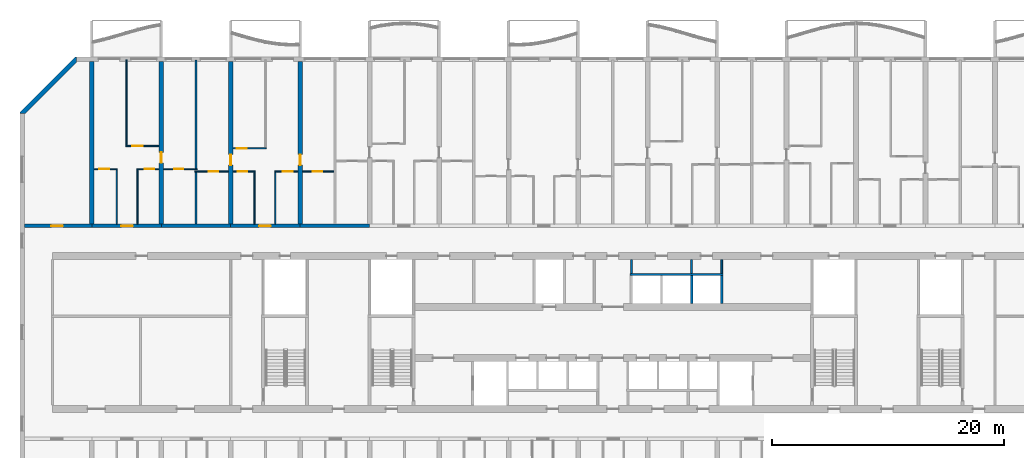
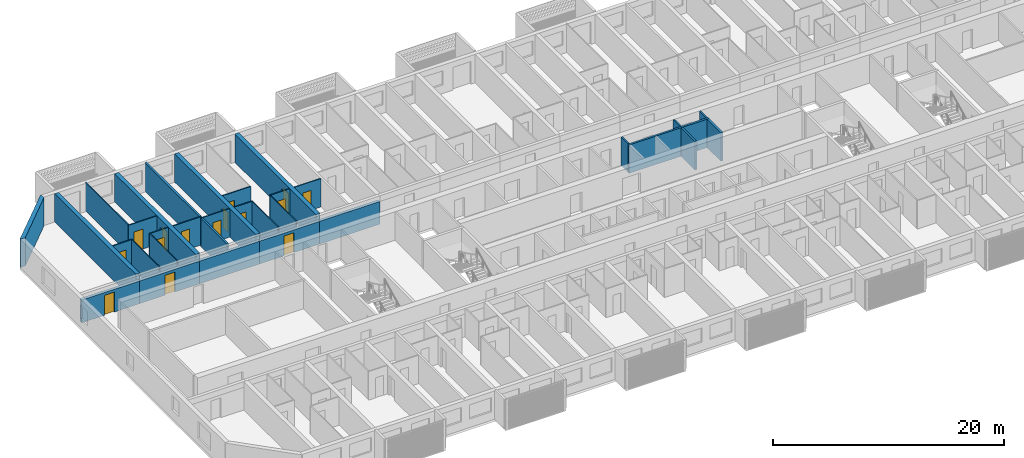
# One storey, part 10 of 38: 32 walls, 15 doors, 15 openings.
"""IFC4 building model written with IfcOpenShell, lengths in metres."""

from ifc_helpers import new_model, si_unit, direction, frame, frame_2d, origin, place, context, subcontext, project, spatial, polyline, rectangle, outline, extrude, material, layer, layer_set, type_object, element, fill, save


model = new_model("IFC4")

# Units and contexts
model_context = context("Model", 3, precision=1e-05, world=origin(), true_north=direction((0.0, 1.0)))
body_context = subcontext(model_context, "Body", "Model", "MODEL_VIEW")
ifc_project = project(units=[si_unit("LENGTHUNIT", "METRE"), si_unit("AREAUNIT", "SQUARE_METRE"), si_unit("VOLUMEUNIT", "CUBIC_METRE"), si_unit("PLANEANGLEUNIT", "RADIAN"), si_unit("MASSUNIT", "GRAM", prefix="KILO")], contexts=[model_context])

# Site, building, storey
site_placement = place(None, origin())
site = spatial("IfcSite", under=ifc_project, at=site_placement, CompositionType="ELEMENT")
building_placement = place(site_placement, origin())
building = spatial("IfcBuilding", under=site, at=building_placement, Name="Poui Terraces", CompositionType="ELEMENT")
storey_placement = place(building_placement, frame((0.0, 0.0, 49.800048828125)))
storey = spatial("IfcBuildingStorey", under=building, at=storey_placement, Name="L13", CompositionType="ELEMENT", Elevation=49.800048828125)

# Wall
ifc_material_1 = material(Name="Fire-rated plasterboard wall")
ifc_layer_1 = layer(ifc_material_1, 0.14990234375)
ifc_layer_set_1 = layer_set([ifc_layer_1], Name="Fire-rated plasterboard wall")
wall_type_1 = type_object("IfcWallType", Name="CORRIDOR WALL 150", PredefinedType="PARTITIONING", material=ifc_layer_set_1)
wall_1_placement = place(storey_placement, frame((52.60009765625, 26.300048828125, 0.0), z_axis=(0.0, 0.0, 1.0), x_axis=(0.0, 1.0, 0.0)))
element("IfcWall", 1, at=wall_1_placement, inside=storey, type_object=wall_type_1, Name="CORRIDOR WALL 150", PredefinedType="PARTITIONING", context=body_context, shape_type="SweptSolid", body=[
    extrude(rectangle(XDim=1.18994140625, YDim=0.14990234375, at=frame_2d((0.594970703125, 0.0))), origin(), (0.0, 0.0, 1.0), 3.0),
])

# Wall, opening, door
ifc_material_2 = material(Name="Concrete 80 MPa", Category="concrete")
ifc_layer_2 = layer(ifc_material_2, 0.300048828125)
ifc_layer_set_2 = layer_set([ifc_layer_2], Name="Concrete 80 MPa")
wall_type_2 = type_object("IfcWallType", Name="CORRIDOR WALL 300 80MPa", PredefinedType="SHEAR", material=ifc_layer_set_2)
wall_2_placement = place(storey_placement, frame((0.199951171875, 30.39990234375, 0.0), z_axis=(0.0, 0.0, 1.0), x_axis=(1.0, 0.0, 0.0)))
wall_2 = element("IfcWall", 2, at=wall_2_placement, inside=storey, type_object=wall_type_2, Name="CORRIDOR WALL LINE E BAY 1", PredefinedType="SHEAR", context=body_context, shape_type="SweptSolid", body=[
    extrude(rectangle(XDim=5.800048828125, YDim=0.300048828125, at=frame_2d((2.89990234375, 0.0))), origin(), (0.0, 0.0, 1.0), 2.39990234375),
])
opening_1_placement = place(wall_2_placement, frame((2.300048828125, 0.0, 0.0)))
opening_1 = element("IfcOpeningElement", 3, at=opening_1_placement, cuts=wall_2, Name="Opening D100", PredefinedType="OPENING", context=body_context, shape_type="SweptSolid", body=[
    extrude(rectangle(XDim=1.0, YDim=2.10009765625, at=frame_2d((0.5, 1.050048828125))), frame((0.0, 0.16015625, 0.0), z_axis=(0.0, -1.0, 0.0), x_axis=(1.0, 0.0, 0.0)), (0.0, 0.0, 1.0), 0.320068359375),
])
ifc_material_3 = material(Name="Solid core timber door", Category="wood")
door_type_1 = type_object("IfcDoorType", Name="ACCESSIBLE INTERNAL DOOR 1000 X 2100", OperationType="NOTDEFINED", PredefinedType="DOOR", material=ifc_material_3)
door_1_placement = place(opening_1_placement, origin())
door_1 = element("IfcDoor", 4, at=door_1_placement, inside=storey, type_object=door_type_1, Name="ACCESSIBLE INTERNAL DOOR 031", OperationType="SINGLE_SWING_LEFT", OverallHeight=2.10009765625, OverallWidth=1.0, PredefinedType="DOOR", context=body_context, shape_type="SweptSolid", body=[
    extrude(rectangle(XDim=1.0, YDim=2.10009765625, at=frame_2d((0.5, 1.050048828125))), frame((0.0, 0.02490234375, 0.0), z_axis=(0.0, -1.0, 0.0), x_axis=(1.0, 0.0, 0.0)), (0.0, 0.0, 1.0), 0.050048828125),
])
fill(opening_1, door_1)

wall_3_placement = place(storey_placement, frame((6.0, 30.39990234375, 0.0), z_axis=(0.0, 0.0, 1.0), x_axis=(1.0, 0.0, 0.0)))
wall_3 = element("IfcWall", 5, at=wall_3_placement, inside=storey, type_object=wall_type_2, Name="CORRIDOR WALL LINE E BAY 2", PredefinedType="SHEAR", context=body_context, shape_type="SweptSolid", body=[
    extrude(rectangle(XDim=6.0, YDim=0.300048828125, at=frame_2d((3.0, 0.0))), origin(), (0.0, 0.0, 1.0), 2.39990234375),
])
opening_2_placement = place(wall_3_placement, frame((2.550048828125, 0.0, 0.0)))
opening_2 = element("IfcOpeningElement", 6, at=opening_2_placement, cuts=wall_3, Name="Opening FD30S", PredefinedType="OPENING", context=body_context, shape_type="SweptSolid", body=[
    extrude(rectangle(XDim=1.0, YDim=2.10009765625, at=frame_2d((0.5, 1.050048828125))), frame((0.0, 0.16015625, 0.0), z_axis=(0.0, -1.0, 0.0), x_axis=(1.0, 0.0, 0.0)), (0.0, 0.0, 1.0), 0.320068359375),
])
ifc_material_4 = material(Name="Steel fire door", Category="steel")
door_type_2 = type_object("IfcDoorType", Name="FLAT ENTRANCE DOOR 1000 X 2100", OperationType="NOTDEFINED", PredefinedType="DOOR", material=ifc_material_4)
door_2_placement = place(opening_2_placement, origin())
door_2 = element("IfcDoor", 7, at=door_2_placement, inside=storey, type_object=door_type_2, Name="FLAT ENTRANCE DOOR 034", OperationType="SINGLE_SWING_RIGHT", OverallHeight=2.10009765625, OverallWidth=1.0, PredefinedType="DOOR", context=body_context, shape_type="SweptSolid", body=[
    extrude(rectangle(XDim=1.0, YDim=2.10009765625, at=frame_2d((0.5, 1.050048828125))), frame((0.0, 0.02490234375, 0.0), z_axis=(0.0, -1.0, 0.0), x_axis=(1.0, 0.0, 0.0)), (0.0, 0.0, 1.0), 0.050048828125),
])
fill(opening_2, door_2)

# Wall
wall_4_placement = place(storey_placement, frame((12.0, 30.39990234375, 0.0), z_axis=(0.0, 0.0, 1.0), x_axis=(1.0, 0.0, 0.0)))
element("IfcWall", 8, at=wall_4_placement, inside=storey, type_object=wall_type_2, Name="CORRIDOR WALL LINE E BAY 3", PredefinedType="SHEAR", context=body_context, shape_type="SweptSolid", body=[
    extrude(rectangle(XDim=6.0, YDim=0.300048828125, at=frame_2d((3.0, 0.0))), origin(), (0.0, 0.0, 1.0), 2.39990234375),
])

# Wall, opening, door
wall_5_placement = place(storey_placement, frame((18.0, 30.39990234375, 0.0), z_axis=(0.0, 0.0, 1.0), x_axis=(1.0, 0.0, 0.0)))
wall_5 = element("IfcWall", 9, at=wall_5_placement, inside=storey, type_object=wall_type_2, Name="CORRIDOR WALL LINE E BAY 4", PredefinedType="SHEAR", context=body_context, shape_type="SweptSolid", body=[
    extrude(rectangle(XDim=6.0, YDim=0.300048828125, at=frame_2d((3.0, 0.0))), origin(), (0.0, 0.0, 1.0), 2.39990234375),
])
opening_3_placement = place(wall_5_placement, frame((2.449951171875, 0.0, 0.0)))
opening_3 = element("IfcOpeningElement", 10, at=opening_3_placement, cuts=wall_5, Name="Opening FD30S", PredefinedType="OPENING", context=body_context, shape_type="SweptSolid", body=[
    extrude(rectangle(XDim=1.0, YDim=2.10009765625, at=frame_2d((0.5, 1.050048828125))), frame((0.0, 0.16015625, 0.0), z_axis=(0.0, -1.0, 0.0), x_axis=(1.0, 0.0, 0.0)), (0.0, 0.0, 1.0), 0.320068359375),
])
door_3_placement = place(opening_3_placement, origin())
door_3 = element("IfcDoor", 11, at=door_3_placement, inside=storey, type_object=door_type_2, Name="FLAT ENTRANCE DOOR 043", OperationType="SINGLE_SWING_LEFT", OverallHeight=2.10009765625, OverallWidth=1.0, PredefinedType="DOOR", context=body_context, shape_type="SweptSolid", body=[
    extrude(rectangle(XDim=1.0, YDim=2.10009765625, at=frame_2d((0.5, 1.050048828125))), frame((0.0, 0.02490234375, 0.0), z_axis=(0.0, -1.0, 0.0), x_axis=(1.0, 0.0, 0.0)), (0.0, 0.0, 1.0), 0.050048828125),
])
fill(opening_3, door_3)

# Walls
wall_6_placement = place(storey_placement, frame((24.0, 30.39990234375, 0.0), z_axis=(0.0, 0.0, 1.0), x_axis=(1.0, 0.0, 0.0)))
element("IfcWall", 12, at=wall_6_placement, inside=storey, type_object=wall_type_2, Name="CORRIDOR WALL LINE E BAY 5", PredefinedType="SHEAR", context=body_context, shape_type="SweptSolid", body=[
    extrude(rectangle(XDim=6.0, YDim=0.300048828125, at=frame_2d((3.0, 0.0))), origin(), (0.0, 0.0, 1.0), 2.39990234375),
])
ifc_layer_3 = layer(ifc_material_2, 0.39990234375)
ifc_layer_set_3 = layer_set([ifc_layer_3], Name="Concrete 80 MPa")
wall_type_3 = type_object("IfcWallType", Name="CROSS WALL 400 80MPa", PredefinedType="SHEAR", material=ifc_layer_set_3)
wall_7_placement = place(storey_placement, frame((6.0, 30.550048828125, 0.0), z_axis=(0.0, 0.0, 1.0), x_axis=(0.0, 1.0, 0.0)))
element("IfcWall", 13, at=wall_7_placement, inside=storey, type_object=wall_type_3, Name="CROSS WALL LINE 2 NORTH", PredefinedType="SHEAR", context=body_context, shape_type="SweptSolid", body=[
    extrude(rectangle(XDim=14.050048828125, YDim=0.39990234375, at=frame_2d((7.02490234375, 0.0))), origin(), (0.0, 0.0, 1.0), 3.0),
])

# Wall, opening, door
wall_8_placement = place(storey_placement, frame((12.0, 30.550048828125, 0.0), z_axis=(0.0, 0.0, 1.0), x_axis=(0.0, 1.0, 0.0)))
wall_8 = element("IfcWall", 14, at=wall_8_placement, inside=storey, type_object=wall_type_3, Name="CROSS WALL LINE 3 NORTH", PredefinedType="SHEAR", context=body_context, shape_type="SweptSolid", body=[
    extrude(rectangle(XDim=14.050048828125, YDim=0.39990234375, at=frame_2d((7.02490234375, 0.0))), origin(), (0.0, 0.0, 1.0), 3.0),
])
opening_4_placement = place(wall_8_placement, frame((5.300048828125, 0.0, 0.0)))
opening_4 = element("IfcOpeningElement", 15, at=opening_4_placement, cuts=wall_8, Name="Opening D90", PredefinedType="OPENING", context=body_context, shape_type="SweptSolid", body=[
    extrude(rectangle(XDim=0.89990234375, YDim=2.10009765625, at=frame_2d((0.449951171875, 1.050048828125))), frame((0.0, 0.2099609375, 0.0), z_axis=(0.0, -1.0, 0.0), x_axis=(1.0, 0.0, 0.0)), (0.0, 0.0, 1.0), 0.419921875),
])
door_type_3 = type_object("IfcDoorType", Name="INTERNAL DOOR 900 X 2100", OperationType="NOTDEFINED", PredefinedType="DOOR", material=ifc_material_3)
door_4_placement = place(opening_4_placement, frame((0.89990234375, 0.0, 0.0), z_axis=(0.0, 0.0, 1.0), x_axis=(-1.0, 0.0, 0.0)))
door_4 = element("IfcDoor", 16, at=door_4_placement, inside=storey, type_object=door_type_3, Name="INTERNAL DOOR 037", OperationType="SINGLE_SWING_RIGHT", OverallHeight=2.10009765625, OverallWidth=0.89990234375, PredefinedType="DOOR", context=body_context, shape_type="SweptSolid", body=[
    extrude(rectangle(XDim=0.89990234375, YDim=2.10009765625, at=frame_2d((0.449951171875, 1.050048828125))), frame((0.0, 0.02490234375, 0.0), z_axis=(0.0, -1.0, 0.0), x_axis=(1.0, 0.0, 0.0)), (0.0, 0.0, 1.0), 0.050048828125),
])
fill(opening_4, door_4)

wall_9_placement = place(storey_placement, frame((18.0, 30.550048828125, 0.0), z_axis=(0.0, 0.0, 1.0), x_axis=(0.0, 1.0, 0.0)))
wall_9 = element("IfcWall", 17, at=wall_9_placement, inside=storey, type_object=wall_type_3, Name="CROSS WALL LINE 4 NORTH", PredefinedType="SHEAR", context=body_context, shape_type="SweptSolid", body=[
    extrude(rectangle(XDim=14.050048828125, YDim=0.39990234375, at=frame_2d((7.02490234375, 0.0))), origin(), (0.0, 0.0, 1.0), 3.0),
])
opening_5_placement = place(wall_9_placement, frame((5.10009765625, 0.0, 0.0)))
opening_5 = element("IfcOpeningElement", 18, at=opening_5_placement, cuts=wall_9, Name="Opening D90", PredefinedType="OPENING", context=body_context, shape_type="SweptSolid", body=[
    extrude(rectangle(XDim=0.89990234375, YDim=2.10009765625, at=frame_2d((0.449951171875, 1.050048828125))), frame((0.0, 0.2099609375, 0.0), z_axis=(0.0, -1.0, 0.0), x_axis=(1.0, 0.0, 0.0)), (0.0, 0.0, 1.0), 0.419921875),
])
door_5_placement = place(opening_5_placement, origin())
door_5 = element("IfcDoor", 19, at=door_5_placement, inside=storey, type_object=door_type_3, Name="INTERNAL DOOR 040", OperationType="SINGLE_SWING_LEFT", OverallHeight=2.10009765625, OverallWidth=0.89990234375, PredefinedType="DOOR", context=body_context, shape_type="SweptSolid", body=[
    extrude(rectangle(XDim=0.89990234375, YDim=2.10009765625, at=frame_2d((0.449951171875, 1.050048828125))), frame((0.0, 0.02490234375, 0.0), z_axis=(0.0, -1.0, 0.0), x_axis=(1.0, 0.0, 0.0)), (0.0, 0.0, 1.0), 0.050048828125),
])
fill(opening_5, door_5)

wall_10_placement = place(storey_placement, frame((24.0, 30.550048828125, 0.0), z_axis=(0.0, 0.0, 1.0), x_axis=(0.0, 1.0, 0.0)))
wall_10 = element("IfcWall", 20, at=wall_10_placement, inside=storey, type_object=wall_type_3, Name="CROSS WALL LINE 5 NORTH", PredefinedType="SHEAR", context=body_context, shape_type="SweptSolid", body=[
    extrude(rectangle(XDim=14.050048828125, YDim=0.39990234375, at=frame_2d((7.02490234375, 0.0))), origin(), (0.0, 0.0, 1.0), 3.0),
])
opening_6_placement = place(wall_10_placement, frame((5.10009765625, 0.0, 0.0)))
opening_6 = element("IfcOpeningElement", 21, at=opening_6_placement, cuts=wall_10, Name="Opening D90", PredefinedType="OPENING", context=body_context, shape_type="SweptSolid", body=[
    extrude(rectangle(XDim=0.89990234375, YDim=2.10009765625, at=frame_2d((0.449951171875, 1.050048828125))), frame((0.0, 0.2099609375, 0.0), z_axis=(0.0, -1.0, 0.0), x_axis=(1.0, 0.0, 0.0)), (0.0, 0.0, 1.0), 0.419921875),
])
door_6_placement = place(opening_6_placement, frame((0.89990234375, 0.0, 0.0), z_axis=(0.0, 0.0, 1.0), x_axis=(-1.0, 0.0, 0.0)))
door_6 = element("IfcDoor", 22, at=door_6_placement, inside=storey, type_object=door_type_3, Name="INTERNAL DOOR 045", OperationType="SINGLE_SWING_RIGHT", OverallHeight=2.10009765625, OverallWidth=0.89990234375, PredefinedType="DOOR", context=body_context, shape_type="SweptSolid", body=[
    extrude(rectangle(XDim=0.89990234375, YDim=2.10009765625, at=frame_2d((0.449951171875, 1.050048828125))), frame((0.0, 0.02490234375, 0.0), z_axis=(0.0, -1.0, 0.0), x_axis=(1.0, 0.0, 0.0)), (0.0, 0.0, 1.0), 0.050048828125),
])
fill(opening_6, door_6)

ifc_material_5 = material(Name="Plasterboard partition")
ifc_layer_4 = layer(ifc_material_5, 0.10009765625)
ifc_layer_set_4 = layer_set([ifc_layer_4], Name="Plasterboard partition")
wall_type_4 = type_object("IfcWallType", Name="FLAT PARTITION 100", PredefinedType="PARTITIONING", material=ifc_layer_set_4)
wall_11_placement = place(storey_placement, frame((14.89990234375, 35.10009765625, 0.0), z_axis=(0.0, 0.0, 1.0), x_axis=(1.0, 0.0, 0.0)))
wall_11 = element("IfcWall", 23, at=wall_11_placement, inside=storey, type_object=wall_type_4, Name="FLAT PARTITION 100", PredefinedType="PARTITIONING", context=body_context, shape_type="SweptSolid", body=[
    extrude(rectangle(XDim=2.89013671875, YDim=0.10009765625, at=frame_2d((1.445068359375, 0.0))), origin(), (0.0, 0.0, 1.0), 3.0),
])
opening_7_placement = place(wall_11_placement, frame((1.199951171875, 0.0, 0.0)))
opening_7 = element("IfcOpeningElement", 24, at=opening_7_placement, cuts=wall_11, Name="Opening D80", PredefinedType="OPENING", context=body_context, shape_type="SweptSolid", body=[
    extrude(rectangle(XDim=0.800048828125, YDim=2.10009765625, at=frame_2d((0.39990234375, 1.050048828125))), frame((0.0, 0.06005859375, 0.0), z_axis=(0.0, -1.0, 0.0), x_axis=(1.0, 0.0, 0.0)), (0.0, 0.0, 1.0), 0.1201171875),
])
door_type_4 = type_object("IfcDoorType", Name="BATHROOM, LAUNDRY AND STORE DOOR 800 X 2100", OperationType="NOTDEFINED", PredefinedType="DOOR", material=ifc_material_3)
door_7_placement = place(opening_7_placement, frame((0.800048828125, 0.0, 0.0), z_axis=(0.0, 0.0, 1.0), x_axis=(-1.0, 0.0, 0.0)))
door_7 = element("IfcDoor", 25, at=door_7_placement, inside=storey, type_object=door_type_4, Name="BATHROOM, LAUNDRY AND STORE DOOR 038", OperationType="SINGLE_SWING_RIGHT", OverallHeight=2.10009765625, OverallWidth=0.800048828125, PredefinedType="DOOR", context=body_context, shape_type="SweptSolid", body=[
    extrude(rectangle(XDim=0.800048828125, YDim=2.10009765625, at=frame_2d((0.39990234375, 1.050048828125))), frame((0.0, 0.02490234375, 0.0), z_axis=(0.0, -1.0, 0.0), x_axis=(1.0, 0.0, 0.0)), (0.0, 0.0, 1.0), 0.050048828125),
])
fill(opening_7, door_7)

wall_12_placement = place(storey_placement, frame((18.2099609375, 35.10009765625, 0.0), z_axis=(0.0, 0.0, 1.0), x_axis=(1.0, 0.0, 0.0)))
wall_12 = element("IfcWall", 26, at=wall_12_placement, inside=storey, type_object=wall_type_4, Name="FLAT PARTITION 100", PredefinedType="PARTITIONING", context=body_context, shape_type="SweptSolid", body=[
    extrude(rectangle(XDim=1.89013671875, YDim=0.10009765625, at=frame_2d((0.945068359375, 0.0))), origin(), (0.0, 0.0, 1.0), 3.0),
])
opening_8_placement = place(wall_12_placement, frame((0.4150390625, 0.0, 0.0)))
opening_8 = element("IfcOpeningElement", 27, at=opening_8_placement, cuts=wall_12, Name="Opening D80", PredefinedType="OPENING", context=body_context, shape_type="SweptSolid", body=[
    extrude(rectangle(XDim=0.800048828125, YDim=2.10009765625, at=frame_2d((0.39990234375, 1.050048828125))), frame((0.0, 0.06005859375, 0.0), z_axis=(0.0, -1.0, 0.0), x_axis=(1.0, 0.0, 0.0)), (0.0, 0.0, 1.0), 0.1201171875),
])
door_8_placement = place(opening_8_placement, frame((0.800048828125, 0.0, 0.0), z_axis=(0.0, 0.0, 1.0), x_axis=(-1.0, 0.0, 0.0)))
door_8 = element("IfcDoor", 28, at=door_8_placement, inside=storey, type_object=door_type_4, Name="BATHROOM, LAUNDRY AND STORE DOOR 042", OperationType="SINGLE_SWING_RIGHT", OverallHeight=2.10009765625, OverallWidth=0.800048828125, PredefinedType="DOOR", context=body_context, shape_type="SweptSolid", body=[
    extrude(rectangle(XDim=0.800048828125, YDim=2.10009765625, at=frame_2d((0.39990234375, 1.050048828125))), frame((0.0, 0.02490234375, 0.0), z_axis=(0.0, -1.0, 0.0), x_axis=(1.0, 0.0, 0.0)), (0.0, 0.0, 1.0), 0.050048828125),
])
fill(opening_8, door_8)

wall_13_placement = place(storey_placement, frame((21.800048828125, 35.10009765625, 0.0), z_axis=(0.0, 0.0, 1.0), x_axis=(1.0, 0.0, 0.0)))
wall_13 = element("IfcWall", 29, at=wall_13_placement, inside=storey, type_object=wall_type_4, Name="FLAT PARTITION 100", PredefinedType="PARTITIONING", context=body_context, shape_type="SweptSolid", body=[
    extrude(rectangle(XDim=1.989990234375, YDim=0.10009765625, at=frame_2d((0.9951171875, 0.0))), origin(), (0.0, 0.0, 1.0), 3.0),
])
opening_9_placement = place(wall_13_placement, frame((0.675048828125, 0.0, 0.0)))
opening_9 = element("IfcOpeningElement", 30, at=opening_9_placement, cuts=wall_13, Name="Opening D90", PredefinedType="OPENING", context=body_context, shape_type="SweptSolid", body=[
    extrude(rectangle(XDim=0.89990234375, YDim=2.10009765625, at=frame_2d((0.449951171875, 1.050048828125))), frame((0.0, 0.06005859375, 0.0), z_axis=(0.0, -1.0, 0.0), x_axis=(1.0, 0.0, 0.0)), (0.0, 0.0, 1.0), 0.1201171875),
])
door_9_placement = place(opening_9_placement, frame((0.89990234375, 0.0, 0.0), z_axis=(0.0, 0.0, 1.0), x_axis=(-1.0, 0.0, 0.0)))
door_9 = element("IfcDoor", 31, at=door_9_placement, inside=storey, type_object=door_type_3, Name="INTERNAL DOOR 044", OperationType="SINGLE_SWING_LEFT", OverallHeight=2.10009765625, OverallWidth=0.89990234375, PredefinedType="DOOR", context=body_context, shape_type="SweptSolid", body=[
    extrude(rectangle(XDim=0.89990234375, YDim=2.10009765625, at=frame_2d((0.449951171875, 1.050048828125))), frame((0.0, 0.02490234375, 0.0), z_axis=(0.0, -1.0, 0.0), x_axis=(1.0, 0.0, 0.0)), (0.0, 0.0, 1.0), 0.050048828125),
])
fill(opening_9, door_9)

wall_14_placement = place(storey_placement, frame((24.2099609375, 35.10009765625, 0.0), z_axis=(0.0, 0.0, 1.0), x_axis=(1.0, 0.0, 0.0)))
wall_14 = element("IfcWall", 32, at=wall_14_placement, inside=storey, type_object=wall_type_4, Name="FLAT PARTITION 100", PredefinedType="PARTITIONING", context=body_context, shape_type="SweptSolid", body=[
    extrude(rectangle(XDim=2.68994140625, YDim=0.10009765625, at=frame_2d((1.344970703125, 0.0))), origin(), (0.0, 0.0, 1.0), 3.0),
])
opening_10_placement = place(wall_14_placement, frame((0.889892578125, 0.0, 0.0)))
opening_10 = element("IfcOpeningElement", 33, at=opening_10_placement, cuts=wall_14, Name="Opening D80", PredefinedType="OPENING", context=body_context, shape_type="SweptSolid", body=[
    extrude(rectangle(XDim=0.800048828125, YDim=2.10009765625, at=frame_2d((0.39990234375, 1.050048828125))), frame((0.0, 0.06005859375, 0.0), z_axis=(0.0, -1.0, 0.0), x_axis=(1.0, 0.0, 0.0)), (0.0, 0.0, 1.0), 0.1201171875),
])
door_10_placement = place(opening_10_placement, frame((0.800048828125, 0.0, 0.0), z_axis=(0.0, 0.0, 1.0), x_axis=(-1.0, 0.0, 0.0)))
door_10 = element("IfcDoor", 34, at=door_10_placement, inside=storey, type_object=door_type_4, Name="BATHROOM, LAUNDRY AND STORE DOOR 039", OperationType="SINGLE_SWING_RIGHT", OverallHeight=2.10009765625, OverallWidth=0.800048828125, PredefinedType="DOOR", context=body_context, shape_type="SweptSolid", body=[
    extrude(rectangle(XDim=0.800048828125, YDim=2.10009765625, at=frame_2d((0.39990234375, 1.050048828125))), frame((0.0, 0.02490234375, 0.0), z_axis=(0.0, -1.0, 0.0), x_axis=(1.0, 0.0, 0.0)), (0.0, 0.0, 1.0), 0.050048828125),
])
fill(opening_10, door_10)

wall_15_placement = place(storey_placement, frame((6.2099609375, 35.300048828125, 0.0), z_axis=(0.0, 0.0, 1.0), x_axis=(1.0, 0.0, 0.0)))
wall_15 = element("IfcWall", 35, at=wall_15_placement, inside=storey, type_object=wall_type_4, Name="FLAT PARTITION 100", PredefinedType="PARTITIONING", context=body_context, shape_type="SweptSolid", body=[
    extrude(rectangle(XDim=1.989990234375, YDim=0.10009765625, at=frame_2d((0.9951171875, 0.0))), origin(), (0.0, 0.0, 1.0), 3.0),
])
opening_11_placement = place(wall_15_placement, frame((0.4150390625, 0.0, 0.0)))
opening_11 = element("IfcOpeningElement", 36, at=opening_11_placement, cuts=wall_15, Name="Opening D90", PredefinedType="OPENING", context=body_context, shape_type="SweptSolid", body=[
    extrude(rectangle(XDim=0.89990234375, YDim=2.10009765625, at=frame_2d((0.449951171875, 1.050048828125))), frame((0.0, 0.06005859375, 0.0), z_axis=(0.0, -1.0, 0.0), x_axis=(1.0, 0.0, 0.0)), (0.0, 0.0, 1.0), 0.1201171875),
])
door_11_placement = place(opening_11_placement, frame((0.89990234375, 0.0, 0.0), z_axis=(0.0, 0.0, 1.0), x_axis=(-1.0, 0.0, 0.0)))
door_11 = element("IfcDoor", 37, at=door_11_placement, inside=storey, type_object=door_type_3, Name="INTERNAL DOOR 033", OperationType="SINGLE_SWING_LEFT", OverallHeight=2.10009765625, OverallWidth=0.89990234375, PredefinedType="DOOR", context=body_context, shape_type="SweptSolid", body=[
    extrude(rectangle(XDim=0.89990234375, YDim=2.10009765625, at=frame_2d((0.449951171875, 1.050048828125))), frame((0.0, 0.02490234375, 0.0), z_axis=(0.0, -1.0, 0.0), x_axis=(1.0, 0.0, 0.0)), (0.0, 0.0, 1.0), 0.050048828125),
])
fill(opening_11, door_11)

wall_16_placement = place(storey_placement, frame((9.89990234375, 35.300048828125, 0.0), z_axis=(0.0, 0.0, 1.0), x_axis=(1.0, 0.0, 0.0)))
wall_16 = element("IfcWall", 38, at=wall_16_placement, inside=storey, type_object=wall_type_4, Name="FLAT PARTITION 100", PredefinedType="PARTITIONING", context=body_context, shape_type="SweptSolid", body=[
    extrude(rectangle(XDim=1.89013671875, YDim=0.10009765625, at=frame_2d((0.945068359375, 0.0))), origin(), (0.0, 0.0, 1.0), 3.0),
])
opening_12_placement = place(wall_16_placement, frame((0.675048828125, 0.0, 0.0)))
opening_12 = element("IfcOpeningElement", 39, at=opening_12_placement, cuts=wall_16, Name="Opening D80", PredefinedType="OPENING", context=body_context, shape_type="SweptSolid", body=[
    extrude(rectangle(XDim=0.800048828125, YDim=2.10009765625, at=frame_2d((0.39990234375, 1.050048828125))), frame((0.0, 0.06005859375, 0.0), z_axis=(0.0, -1.0, 0.0), x_axis=(1.0, 0.0, 0.0)), (0.0, 0.0, 1.0), 0.1201171875),
])
door_12_placement = place(opening_12_placement, frame((0.800048828125, 0.0, 0.0), z_axis=(0.0, 0.0, 1.0), x_axis=(-1.0, 0.0, 0.0)))
door_12 = element("IfcDoor", 40, at=door_12_placement, inside=storey, type_object=door_type_4, Name="BATHROOM, LAUNDRY AND STORE DOOR 036", OperationType="SINGLE_SWING_RIGHT", OverallHeight=2.10009765625, OverallWidth=0.800048828125, PredefinedType="DOOR", context=body_context, shape_type="SweptSolid", body=[
    extrude(rectangle(XDim=0.800048828125, YDim=2.10009765625, at=frame_2d((0.39990234375, 1.050048828125))), frame((0.0, 0.02490234375, 0.0), z_axis=(0.0, -1.0, 0.0), x_axis=(1.0, 0.0, 0.0)), (0.0, 0.0, 1.0), 0.050048828125),
])
fill(opening_12, door_12)

wall_17_placement = place(storey_placement, frame((12.2099609375, 35.300048828125, 0.0), z_axis=(0.0, 0.0, 1.0), x_axis=(1.0, 0.0, 0.0)))
wall_17 = element("IfcWall", 41, at=wall_17_placement, inside=storey, type_object=wall_type_4, Name="FLAT PARTITION 100", PredefinedType="PARTITIONING", context=body_context, shape_type="SweptSolid", body=[
    extrude(rectangle(XDim=2.89013671875, YDim=0.10009765625, at=frame_2d((1.445068359375, 0.0))), origin(), (0.0, 0.0, 1.0), 3.0),
])
opening_13_placement = place(wall_17_placement, frame((0.889892578125, 0.0, 0.0)))
opening_13 = element("IfcOpeningElement", 42, at=opening_13_placement, cuts=wall_17, Name="Opening D80", PredefinedType="OPENING", context=body_context, shape_type="SweptSolid", body=[
    extrude(rectangle(XDim=0.800048828125, YDim=2.10009765625, at=frame_2d((0.39990234375, 1.050048828125))), frame((0.0, 0.06005859375, 0.0), z_axis=(0.0, -1.0, 0.0), x_axis=(1.0, 0.0, 0.0)), (0.0, 0.0, 1.0), 0.1201171875),
])
door_13_placement = place(opening_13_placement, frame((0.800048828125, 0.0, 0.0), z_axis=(0.0, 0.0, 1.0), x_axis=(-1.0, 0.0, 0.0)))
door_13 = element("IfcDoor", 43, at=door_13_placement, inside=storey, type_object=door_type_4, Name="BATHROOM, LAUNDRY AND STORE DOOR 032", OperationType="SINGLE_SWING_LEFT", OverallHeight=2.10009765625, OverallWidth=0.800048828125, PredefinedType="DOOR", context=body_context, shape_type="SweptSolid", body=[
    extrude(rectangle(XDim=0.800048828125, YDim=2.10009765625, at=frame_2d((0.39990234375, 1.050048828125))), frame((0.0, 0.02490234375, 0.0), z_axis=(0.0, -1.0, 0.0), x_axis=(1.0, 0.0, 0.0)), (0.0, 0.0, 1.0), 0.050048828125),
])
fill(opening_13, door_13)

wall_18_placement = place(storey_placement, frame((18.2099609375, 37.10009765625, 0.0), z_axis=(0.0, 0.0, 1.0), x_axis=(1.0, 0.0, 0.0)))
wall_18 = element("IfcWall", 44, at=wall_18_placement, inside=storey, type_object=wall_type_4, Name="FLAT PARTITION 100", PredefinedType="PARTITIONING", context=body_context, shape_type="SweptSolid", body=[
    extrude(rectangle(XDim=2.840087890625, YDim=0.10009765625, at=frame_2d((1.419921875, 0.0))), origin(), (0.0, 0.0, 1.0), 3.0),
])
opening_14_placement = place(wall_18_placement, frame((0.2900390625, 0.0, 0.0)))
opening_14 = element("IfcOpeningElement", 45, at=opening_14_placement, cuts=wall_18, Name="Opening D90", PredefinedType="OPENING", context=body_context, shape_type="SweptSolid", body=[
    extrude(rectangle(XDim=0.89990234375, YDim=2.10009765625, at=frame_2d((0.449951171875, 1.050048828125))), frame((0.0, 0.06005859375, 0.0), z_axis=(0.0, -1.0, 0.0), x_axis=(1.0, 0.0, 0.0)), (0.0, 0.0, 1.0), 0.1201171875),
])
door_14_placement = place(opening_14_placement, frame((0.89990234375, 0.0, 0.0), z_axis=(0.0, 0.0, 1.0), x_axis=(-1.0, 0.0, 0.0)))
door_14 = element("IfcDoor", 46, at=door_14_placement, inside=storey, type_object=door_type_3, Name="INTERNAL DOOR 041", OperationType="SINGLE_SWING_LEFT", OverallHeight=2.10009765625, OverallWidth=0.89990234375, PredefinedType="DOOR", context=body_context, shape_type="SweptSolid", body=[
    extrude(rectangle(XDim=0.89990234375, YDim=2.10009765625, at=frame_2d((0.449951171875, 1.050048828125))), frame((0.0, 0.02490234375, 0.0), z_axis=(0.0, -1.0, 0.0), x_axis=(1.0, 0.0, 0.0)), (0.0, 0.0, 1.0), 0.050048828125),
])
fill(opening_14, door_14)

wall_19_placement = place(storey_placement, frame((8.949951171875, 37.300048828125, 0.0), z_axis=(0.0, 0.0, 1.0), x_axis=(1.0, 0.0, 0.0)))
wall_19 = element("IfcWall", 47, at=wall_19_placement, inside=storey, type_object=wall_type_4, Name="FLAT PARTITION 100", PredefinedType="PARTITIONING", context=body_context, shape_type="SweptSolid", body=[
    extrude(rectangle(XDim=2.840087890625, YDim=0.10009765625, at=frame_2d((1.419921875, 0.0))), origin(), (0.0, 0.0, 1.0), 3.0),
])
opening_15_placement = place(wall_19_placement, frame((0.550048828125, 0.0, 0.0)))
opening_15 = element("IfcOpeningElement", 48, at=opening_15_placement, cuts=wall_19, Name="Opening D90", PredefinedType="OPENING", context=body_context, shape_type="SweptSolid", body=[
    extrude(rectangle(XDim=0.89990234375, YDim=2.10009765625, at=frame_2d((0.449951171875, 1.050048828125))), frame((0.0, 0.06005859375, 0.0), z_axis=(0.0, -1.0, 0.0), x_axis=(1.0, 0.0, 0.0)), (0.0, 0.0, 1.0), 0.1201171875),
])
door_15_placement = place(opening_15_placement, frame((0.89990234375, 0.0, 0.0), z_axis=(0.0, 0.0, 1.0), x_axis=(-1.0, 0.0, 0.0)))
door_15 = element("IfcDoor", 49, at=door_15_placement, inside=storey, type_object=door_type_3, Name="INTERNAL DOOR 035", OperationType="SINGLE_SWING_LEFT", OverallHeight=2.10009765625, OverallWidth=0.89990234375, PredefinedType="DOOR", context=body_context, shape_type="SweptSolid", body=[
    extrude(rectangle(XDim=0.89990234375, YDim=2.10009765625, at=frame_2d((0.449951171875, 1.050048828125))), frame((0.0, 0.02490234375, 0.0), z_axis=(0.0, -1.0, 0.0), x_axis=(1.0, 0.0, 0.0)), (0.0, 0.0, 1.0), 0.050048828125),
])
fill(opening_15, door_15)

# Walls
wall_20_placement = place(storey_placement, frame((8.14990234375, 30.56005859375, 0.0), z_axis=(0.0, 0.0, 1.0), x_axis=(0.0, 1.0, 0.0)))
element("IfcWall", 50, at=wall_20_placement, inside=storey, type_object=wall_type_4, Name="FLAT PARTITION 100", PredefinedType="PARTITIONING", context=body_context, shape_type="SweptSolid", body=[
    extrude(rectangle(XDim=4.68994140625, YDim=0.10009765625, at=frame_2d((2.344970703125, 0.0))), origin(), (0.0, 0.0, 1.0), 3.0),
])
wall_21_placement = place(storey_placement, frame((9.0, 37.35009765625, 0.0), z_axis=(0.0, 0.0, 1.0), x_axis=(0.0, 1.0, 0.0)))
element("IfcWall", 51, at=wall_21_placement, inside=storey, type_object=wall_type_4, Name="FLAT PARTITION 100", PredefinedType="PARTITIONING", context=body_context, shape_type="SweptSolid", body=[
    extrude(rectangle(XDim=7.389892578125, YDim=0.10009765625, at=frame_2d((3.69482421875, 0.0))), origin(), (0.0, 0.0, 1.0), 3.0),
])
wall_22_placement = place(storey_placement, frame((9.949951171875, 30.56005859375, 0.0), z_axis=(0.0, 0.0, 1.0), x_axis=(0.0, 1.0, 0.0)))
element("IfcWall", 52, at=wall_22_placement, inside=storey, type_object=wall_type_4, Name="FLAT PARTITION 100", PredefinedType="PARTITIONING", context=body_context, shape_type="SweptSolid", body=[
    extrude(rectangle(XDim=4.68994140625, YDim=0.10009765625, at=frame_2d((2.344970703125, 0.0))), origin(), (0.0, 0.0, 1.0), 3.0),
])
for number, where, z_axis, x_axis, name in (
    (53, (20.050048828125, 30.56005859375, 0.0), (0.0, 0.0, 1.0), (0.0, 1.0, 0.0), "FLAT PARTITION 100"),
    (54, (21.85009765625, 30.56005859375, 0.0), (0.0, 0.0, 1.0), (0.0, 1.0, 0.0), "FLAT PARTITION 100"),
):
    element("IfcWall", number, at=place(storey_placement, frame(where, z_axis=z_axis, x_axis=x_axis)), inside=storey, type_object=wall_type_4, Name=name, PredefinedType="PARTITIONING", context=body_context, shape_type="SweptSolid", body=[
        extrude(rectangle(XDim=4.489990234375, YDim=0.10009765625, at=frame_2d((2.2451171875, 0.0))), origin(), (0.0, 0.0, 1.0), 3.0),
    ])
ifc_material_6 = material(Name="Fire-rated masonry wall", Category="masonry")
ifc_layer_5 = layer(ifc_material_6, 0.199951171875)
ifc_layer_set_5 = layer_set([ifc_layer_5], Name="Fire-rated masonry wall")
wall_type_5 = type_object("IfcWallType", Name="FLAT PARTY WALL 200", PredefinedType="PARTITIONING", material=ifc_layer_set_5)
wall_23_placement = place(storey_placement, frame((15.0, 30.56005859375, 0.0), z_axis=(0.0, 0.0, 1.0), x_axis=(0.0, 1.0, 0.0)))
element("IfcWall", 55, at=wall_23_placement, inside=storey, type_object=wall_type_5, Name="FLAT PARTY WALL 200", PredefinedType="PARTITIONING", context=body_context, shape_type="SweptSolid", body=[
    extrude(rectangle(XDim=4.489990234375, YDim=0.199951171875, at=frame_2d((2.2451171875, 0.0))), origin(), (0.0, 0.0, 1.0), 3.0),
])
wall_24_placement = place(storey_placement, frame((15.0, 35.35009765625, 0.0), z_axis=(0.0, 0.0, 1.0), x_axis=(0.0, 1.0, 0.0)))
element("IfcWall", 56, at=wall_24_placement, inside=storey, type_object=wall_type_5, Name="FLAT PARTY WALL 200", PredefinedType="PARTITIONING", context=body_context, shape_type="SweptSolid", body=[
    extrude(rectangle(XDim=9.389892578125, YDim=0.199951171875, at=frame_2d((4.69482421875, 0.0))), origin(), (0.0, 0.0, 1.0), 3.0),
])
ifc_layer_6 = layer(ifc_material_5, 0.14990234375)
ifc_layer_set_6 = layer_set([ifc_layer_6], Name="Plasterboard partition")
wall_type_6 = type_object("IfcWallType", Name="PARTITION WALL 150", PredefinedType="PARTITIONING", material=ifc_layer_set_6)
for number, where, z_axis, x_axis, name in (
    (57, (57.800048828125, 26.300048828125, 0.0), (0.0, 0.0, 1.0), (0.0, 1.0, 0.0), "PARTITION WALL 150"),
    (58, (60.39990234375, 26.300048828125, 0.0), (0.0, 0.0, 1.0), (0.0, 1.0, 0.0), "PARTITION WALL 150"),
):
    element("IfcWall", number, at=place(storey_placement, frame(where, z_axis=z_axis, x_axis=x_axis)), inside=storey, type_object=wall_type_6, Name=name, PredefinedType="PARTITIONING", context=body_context, shape_type="SweptSolid", body=[
        extrude(rectangle(XDim=1.18994140625, YDim=0.14990234375, at=frame_2d((0.594970703125, 0.0))), origin(), (0.0, 0.0, 1.0), 3.0),
    ])
ifc_material_7 = material(Name="Fire-rated masonry shaft wall", Category="masonry")
ifc_layer_7 = layer(ifc_material_7, 0.199951171875)
ifc_layer_set_7 = layer_set([ifc_layer_7], Name="Fire-rated masonry shaft wall")
wall_type_7 = type_object("IfcWallType", Name="SHAFT WALL 200", PredefinedType="PARTITIONING", material=ifc_layer_set_7)
wall_25_placement = place(storey_placement, frame((52.5, 26.199951171875, 0.0), z_axis=(0.0, 0.0, 1.0), x_axis=(1.0, 0.0, 0.0)))
element("IfcWall", 59, at=wall_25_placement, inside=storey, type_object=wall_type_7, Name="SHAFT WALL 200", PredefinedType="PARTITIONING", context=body_context, shape_type="SweptSolid", body=[
    extrude(rectangle(XDim=8.0, YDim=0.199951171875, at=frame_2d((4.0, 0.0))), origin(), (0.0, 0.0, 1.0), 3.0),
])
for number, where, z_axis, x_axis, name in (
    (60, (57.800048828125, 23.7099609375, 0.0), (0.0, 0.0, 1.0), (0.0, 1.0, 0.0), "SHAFT WALL 200"),
    (61, (60.39990234375, 23.7099609375, 0.0), (0.0, 0.0, 1.0), (0.0, 1.0, 0.0), "SHAFT WALL 200"),
):
    element("IfcWall", number, at=place(storey_placement, frame(where, z_axis=z_axis, x_axis=x_axis)), inside=storey, type_object=wall_type_7, Name=name, PredefinedType="PARTITIONING", context=body_context, shape_type="SweptSolid", body=[
        extrude(rectangle(XDim=2.39013671875, YDim=0.199951171875, at=frame_2d((1.195068359375, 0.0))), origin(), (0.0, 0.0, 1.0), 3.0),
    ])
ifc_material_8 = material(Name="Precast concrete 40 MPa", Category="concrete")
ifc_layer_8 = layer(ifc_material_8, 0.39990234375)
ifc_layer_set_8 = layer_set([ifc_layer_8], Name="Precast concrete 40 MPa")
wall_type_8 = type_object("IfcWallType", Name="TERRACOTTA CLAD CHAMFER WALL 400", PredefinedType="STANDARD", material=ifc_layer_set_8)
wall_26_placement = place(storey_placement, origin())
element("IfcWall", 62, at=wall_26_placement, inside=storey, type_object=wall_type_8, Name="CHAMFER WALL CH05", PredefinedType="STANDARD", context=body_context, shape_type="SweptSolid", body=[
    extrude(outline(polyline([(4.682861328125, 45.0), (4.60009765625, 45.0), (-0.199951171875, 40.199951171875), (-0.199951171875, 40.1171875), (0.28271484375, 40.1171875), (4.682861328125, 44.51708984375), (4.682861328125, 45.0)])), origin(), (0.0, 0.0, 1.0), 3.0),
])

save(model, "model.ifc")
